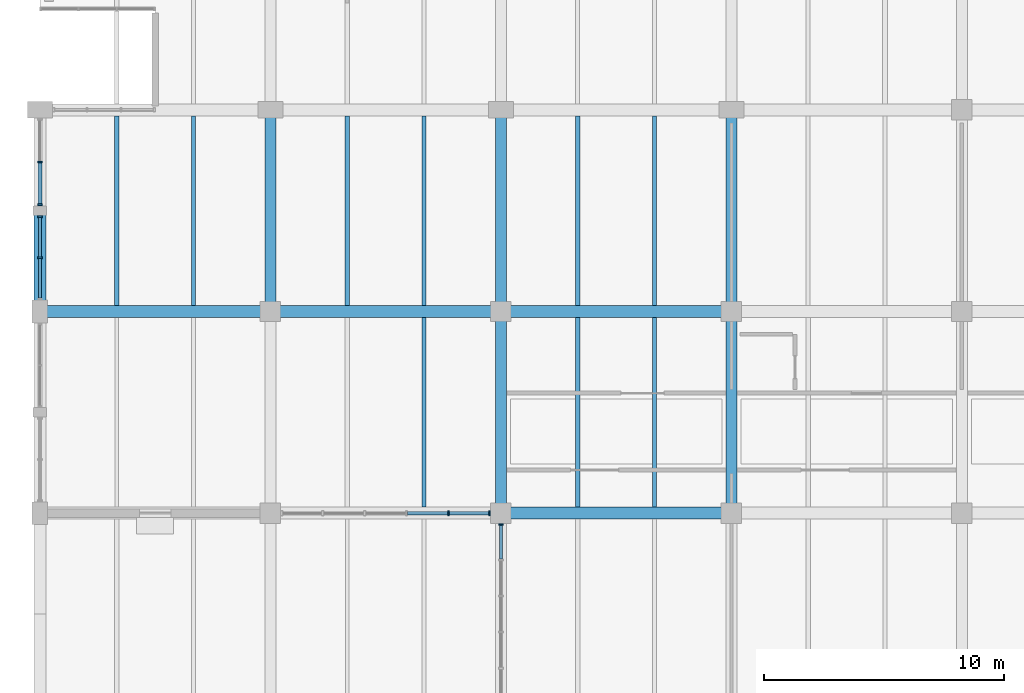
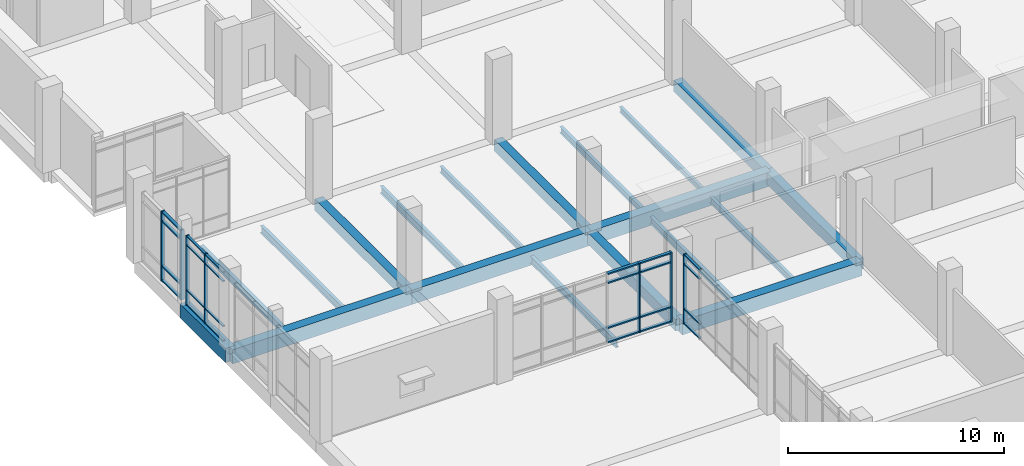
# One storey, part 10 of 152: 31 members, 19 beams, 4 elements without a shape of their own.
"""IFC4 building model written with IfcOpenShell, lengths in metres."""

import ifcopenshell
import ifcopenshell.guid

model = None  # the IFC model being written
_history = None  # IfcOwnerHistory: only IFC2X3 demands one
_inside = {}  # id of a spatial element -> (the spatial element, [elements in it])
_under = {}  # id of a project, library or spatial element -> (it, [spatial elements below it])
_declared = {}  # id of a project -> (the project, [libraries it declares])
_typed = {}  # id of a type object -> (the type object, [elements of that type])
_made_of = {}  # id of a material, layer set ... -> (it, [elements and type objects made of it])


def new_model(schema):
    """Start an empty IFC model of exactly this schema.

    Asked for "IFC4X3", IfcOpenShell would pick the latest addendum, in which some entities
    have other attributes; the version numbers below select the first issue.
    IFC2X3 requires an IfcOwnerHistory on every rooted entity: one is made here for all.
    """
    global model, _history
    if schema == "IFC4X3":
        model = ifcopenshell.file(schema_version=(4, 3, 0, 0))
    else:
        model = ifcopenshell.file(schema=schema)
    _inside.clear()
    _under.clear()
    _declared.clear()
    _typed.clear()
    _made_of.clear()
    _history = None
    if model.schema == "IFC2X3":
        org = make("IfcOrganization", Name="unknown")
        user = make(
            "IfcPersonAndOrganization",
            ThePerson=make("IfcPerson", FamilyName="unknown"),
            TheOrganization=org,
        )
        app = make(
            "IfcApplication",
            ApplicationDeveloper=org,
            Version="unknown",
            ApplicationFullName="unknown",
            ApplicationIdentifier="unknown",
        )
        _history = make(
            "IfcOwnerHistory",
            OwningUser=user,
            OwningApplication=app,
            ChangeAction="ADDED",
            CreationDate=0,
        )
    return model


def make(cls, **values):
    """One entity of the class cls with the attributes given. An attribute that is None is left unset."""
    return model.create_entity(
        cls, **{name: value for name, value in values.items() if value is not None}
    )


def rooted(cls, **values):
    """An entity with a GlobalId (a new one), such as an element, a storey or a relation."""
    return make(cls, GlobalId=ifcopenshell.guid.new(), OwnerHistory=_history, **values)


def si_unit(unit_type, name, prefix=None):
    """IfcSIUnit, for example si_unit("LENGTHUNIT", "METRE", prefix="MILLI")."""
    return make("IfcSIUnit", UnitType=unit_type, Prefix=prefix, Name=name)


def assignment(units):
    """IfcUnitAssignment: the units of a project."""
    return None if units is None else make("IfcUnitAssignment", Units=units)


def point(xyz):
    """IfcCartesianPoint."""
    return None if xyz is None else make("IfcCartesianPoint", Coordinates=xyz)


def direction(xyz):
    """IfcDirection."""
    return None if xyz is None else make("IfcDirection", DirectionRatios=xyz)


def frame(location, z_axis=None, x_axis=None):
    """IfcAxis2Placement3D, a coordinate frame: its origin and axes. An axis left out is left unset."""
    return make(
        "IfcAxis2Placement3D",
        Location=point(location),
        Axis=direction(z_axis),
        RefDirection=direction(x_axis),
    )


def frame_2d(location, x_axis=None):
    """IfcAxis2Placement2D, a coordinate frame in the plane: its origin and x axis."""
    return make(
        "IfcAxis2Placement2D", Location=point(location), RefDirection=direction(x_axis)
    )


def origin():
    """The frame at (0, 0, 0) with its axes left unset."""
    return frame((0.0, 0.0, 0.0))


def origin_2d():
    """The frame at (0, 0) in the plane with its x axis left unset."""
    return frame_2d((0.0, 0.0))


def place(relative_to, where):
    """IfcLocalPlacement: puts the frame where relative to a parent placement (None: the world)."""
    return make(
        "IfcLocalPlacement", PlacementRelTo=relative_to, RelativePlacement=where
    )


def context(
    kind, dimensions, precision=None, world=None, true_north=None, identifier=None
):
    """IfcGeometricRepresentationContext, for example the 3D "Model" context."""
    return make(
        "IfcGeometricRepresentationContext",
        ContextIdentifier=identifier,
        ContextType=kind,
        CoordinateSpaceDimension=dimensions,
        Precision=precision,
        WorldCoordinateSystem=world,
        TrueNorth=true_north,
    )


def subcontext(parent, identifier, kind, view, scale=None):
    """IfcGeometricRepresentationSubContext, for example "Body" below "Model"."""
    return make(
        "IfcGeometricRepresentationSubContext",
        ContextIdentifier=identifier,
        ContextType=kind,
        ParentContext=parent,
        TargetScale=scale,
        TargetView=view,
    )


def project(units=None, contexts=None):
    """IfcProject with its units and contexts."""
    return rooted(
        "IfcProject",
        Name="project",
        RepresentationContexts=contexts,
        UnitsInContext=assignment(units),
    )


def spatial(cls, under=None, at=None, **own):
    """A site, building, storey or space (cls), placed at a placement, below another one or the project."""
    s = rooted(cls, ObjectPlacement=at, **own)
    if under is not None:
        _under.setdefault(under.id(), (under, []))[1].append(s)
    return s


def profile(cls, at=None, kind="AREA", **sizes):
    """A parametric profile (cls). Its sizes go by their IFC names, for example OverallWidth=200.0."""
    return make(cls, ProfileType=kind, Position=at, **sizes)


def rectangle(**sizes):
    """IfcRectangleProfileDef."""
    return profile("IfcRectangleProfileDef", **sizes)


def i_section(**sizes):
    """IfcIShapeProfileDef."""
    return profile("IfcIShapeProfileDef", **sizes)


def extrude(swept, where, along, depth):
    """IfcExtrudedAreaSolid: the profile swept, set in the frame where, extruded along a direction by depth."""
    return make(
        "IfcExtrudedAreaSolid",
        SweptArea=swept,
        Position=where,
        ExtrudedDirection=direction(along),
        Depth=depth,
    )


def shape(context_of_items, identifier, shape_type, items):
    """IfcShapeRepresentation: the items that make up one representation, for example the "Body"."""
    return make(
        "IfcShapeRepresentation",
        ContextOfItems=context_of_items,
        RepresentationIdentifier=identifier,
        RepresentationType=shape_type,
        Items=items,
    )


def material(Name=None, Category=None):
    """IfcMaterial."""
    return make("IfcMaterial", Name=Name, Category=Category)


def material_profile(
    of_material, cross_section, Name=None, Category=None, Priority=None
):
    """IfcMaterialProfile: a cross section and its material."""
    return make(
        "IfcMaterialProfile",
        Name=Name,
        Material=of_material,
        Profile=cross_section,
        Priority=Priority,
        Category=Category,
    )


def profile_set(profiles, Name=None, composite=None):
    """IfcMaterialProfileSet."""
    return make(
        "IfcMaterialProfileSet",
        Name=Name,
        MaterialProfiles=profiles,
        CompositeProfile=composite,
    )


def made_of(thing, what):
    """Note that an element or type object is made of a material, layer set ...; save() writes the relation."""
    if what is not None:
        _made_of.setdefault(what.id(), (what, []))[1].append(thing)
    return thing


def type_object(cls, material=None, **own):
    """A type object (cls), such as IfcWallType, which elements share."""
    return made_of(rooted(cls, **own), material)


def element(
    cls,
    number,
    at=None,
    inside=None,
    cuts=None,
    type_object=None,
    material=None,
    context=None,
    identifier="Body",
    shape_type=None,
    held_by="IfcProductDefinitionShape",
    body=None,
    shapes=None,
    **own,
):
    """One element of the class cls, such as IfcWall. Its Tag is "e" and its number.

    at: its placement. inside: the storey or other place that contains it. cuts: it is an
    opening in that element (IfcRelVoidsElement). A single representation is given by context,
    identifier, shape_type and body (its items); several are given by shapes. held_by: the class
    of the entity that holds the representations. save() writes the other relations.
    """
    e = rooted(cls, Tag="e%d" % number, ObjectPlacement=at, **own)
    if body is not None:
        shapes = [shape(context, identifier, shape_type, body)]
    if shapes is not None:
        e.Representation = make(held_by, Representations=shapes)
    if inside is not None:
        _inside.setdefault(inside.id(), (inside, []))[1].append(e)
    if cuts is not None:
        rooted(
            "IfcRelVoidsElement", RelatingBuildingElement=cuts, RelatedOpeningElement=e
        )
    if type_object is not None:
        _typed.setdefault(type_object.id(), (type_object, []))[1].append(e)
    return made_of(e, material)


def aggregate(whole, parts):
    """IfcRelAggregates: a whole, such as a stair, and the parts it consists of."""
    return rooted("IfcRelAggregates", RelatingObject=whole, RelatedObjects=parts)


def save(model, path):
    """Write the relations noted so far, then the file.

    IfcRelAggregates (storeys below a building ...), IfcRelContainedInSpatialStructure (elements
    in a storey), IfcRelDefinesByType, IfcRelAssociatesMaterial and IfcRelDeclares: one each for
    every whole, place, type object, material and project.
    """
    for whole, parts in _under.values():
        aggregate(whole, parts)
    for where, things in _inside.values():
        rooted(
            "IfcRelContainedInSpatialStructure",
            RelatedElements=things,
            RelatingStructure=where,
        )
    for kind, things in _typed.values():
        rooted("IfcRelDefinesByType", RelatedObjects=things, RelatingType=kind)
    for what, things in _made_of.values():
        rooted("IfcRelAssociatesMaterial", RelatedObjects=things, RelatingMaterial=what)
    for by, libraries in _declared.values():
        rooted("IfcRelDeclares", RelatingContext=by, RelatedDefinitions=libraries)
    model.write(path)


model = new_model("IFC4")

# Units and contexts
model_context = context("Model", 3, precision=1e-05, world=origin(), true_north=direction((0.0, 1.0)))
body_context = subcontext(model_context, "Body", "Model", "MODEL_VIEW")
ifc_project = project(units=[si_unit("LENGTHUNIT", "METRE"), si_unit("AREAUNIT", "SQUARE_METRE"), si_unit("VOLUMEUNIT", "CUBIC_METRE"), si_unit("PLANEANGLEUNIT", "RADIAN"), si_unit("MASSUNIT", "GRAM", prefix="KILO")], contexts=[model_context])

# Site, building, storey
site_placement = place(None, origin())
site = spatial("IfcSite", under=ifc_project, at=site_placement, CompositionType="ELEMENT")
building_placement = place(site_placement, origin())
building = spatial("IfcBuilding", under=site, at=building_placement, Name="Oolite Switchyard Hospital", CompositionType="ELEMENT")
storey_placement = place(building_placement, frame((0.0, 0.0, 5.10009765625)))
storey = spatial("IfcBuildingStorey", under=building, at=storey_placement, Name="L01", CompositionType="ELEMENT", Elevation=5.10009765625)

# Beams
ifc_material_1 = material(Name="Concrete C40/50", Category="concrete")
ifc_material_profile_1 = material_profile(ifc_material_1, rectangle(XDim=0.449951171875, YDim=0.64990234375, at=origin_2d()), Name="RCB450X650")
ifc_profile_set_1 = profile_set([ifc_material_profile_1], Name="Concrete C40/50")
beam_type_1 = type_object("IfcBeamType", Name="BM-RC450X650", PredefinedType="BEAM", material=ifc_profile_set_1)
beam_1_placement = place(storey_placement, frame((9.60009765625, 25.199951171875, -0.3251953125), z_axis=(0.0, 1.0, 0.0), x_axis=(-1.0, 0.0, 0.0)))
element("IfcBeam", 1, at=beam_1_placement, inside=storey, type_object=beam_type_1, Name="L01 Y-Girder 305", PredefinedType="BEAM", context=body_context, shape_type="SweptSolid", body=[
    extrude(rectangle(XDim=0.449951171875, YDim=0.64990234375, at=origin_2d()), origin(), (0.0, 0.0, 1.0), 8.400146484375),
])
beam_2_placement = place(storey_placement, frame((19.199951171875, 16.800048828125, -0.3251953125), z_axis=(0.0, 1.0, 0.0), x_axis=(-1.0, 0.0, 0.0)))
element("IfcBeam", 2, at=beam_2_placement, inside=storey, type_object=beam_type_1, Name="L01 Y-Girder 320", PredefinedType="BEAM", context=body_context, shape_type="SweptSolid", body=[
    extrude(rectangle(XDim=0.449951171875, YDim=0.64990234375, at=origin_2d()), origin(), (0.0, 0.0, 1.0), 8.39990234375),
])
beam_3_placement = place(storey_placement, frame((19.199951171875, 25.199951171875, -0.3251953125), z_axis=(0.0, 1.0, 0.0), x_axis=(-1.0, 0.0, 0.0)))
element("IfcBeam", 3, at=beam_3_placement, inside=storey, type_object=beam_type_1, Name="L01 Y-Girder 321", PredefinedType="BEAM", context=body_context, shape_type="SweptSolid", body=[
    extrude(rectangle(XDim=0.449951171875, YDim=0.64990234375, at=origin_2d()), origin(), (0.0, 0.0, 1.0), 8.400146484375),
])
beam_4_placement = place(storey_placement, frame((28.800048828125, 16.800048828125, -0.3251953125), z_axis=(0.0, 1.0, 0.0), x_axis=(-1.0, 0.0, 0.0)))
element("IfcBeam", 4, at=beam_4_placement, inside=storey, type_object=beam_type_1, Name="L01 Y-Girder 336", PredefinedType="BEAM", context=body_context, shape_type="SweptSolid", body=[
    extrude(rectangle(XDim=0.449951171875, YDim=0.64990234375, at=origin_2d()), origin(), (0.0, 0.0, 1.0), 8.39990234375),
])
beam_5_placement = place(storey_placement, frame((28.800048828125, 25.199951171875, -0.3251953125), z_axis=(0.0, 1.0, 0.0), x_axis=(-1.0, 0.0, 0.0)))
element("IfcBeam", 5, at=beam_5_placement, inside=storey, type_object=beam_type_1, Name="L01 Y-Girder 337", PredefinedType="BEAM", context=body_context, shape_type="SweptSolid", body=[
    extrude(rectangle(XDim=0.449951171875, YDim=0.64990234375, at=origin_2d()), origin(), (0.0, 0.0, 1.0), 8.400146484375),
])
ifc_material_profile_2 = material_profile(ifc_material_1, rectangle(XDim=0.5, YDim=0.800048828125, at=origin_2d()), Name="RCB500X800")
ifc_profile_set_2 = profile_set([ifc_material_profile_2], Name="Concrete C40/50")
beam_type_2 = type_object("IfcBeamType", Name="BM-RC500X800", PredefinedType="BEAM", material=ifc_profile_set_2)
for number, where, z_axis, x_axis, name in (
    (6, (19.199951171875, 16.800048828125, -0.400146484375), (1.0, 0.0, 0.0), (0.0, 1.0, 0.0), "L01 X-Girder 28"),
    (7, (0.0, 25.199951171875, -0.400146484375), (1.0, 0.0, 0.0), (0.0, 1.0, 0.0), "L01 X-Girder 41"),
):
    element("IfcBeam", number, at=place(storey_placement, frame(where, z_axis=z_axis, x_axis=x_axis)), inside=storey, type_object=beam_type_2, Name=name, PredefinedType="BEAM", context=body_context, shape_type="SweptSolid", body=[
        extrude(rectangle(XDim=0.5, YDim=0.800048828125, at=origin_2d()), origin(), (0.0, 0.0, 1.0), 9.60009765625),
    ])
beam_6_placement = place(storey_placement, frame((9.60009765625, 25.199951171875, -0.400146484375), z_axis=(1.0, 0.0, 0.0), x_axis=(0.0, 1.0, 0.0)))
element("IfcBeam", 8, at=beam_6_placement, inside=storey, type_object=beam_type_2, Name="L01 X-Girder 42", PredefinedType="BEAM", context=body_context, shape_type="SweptSolid", body=[
    extrude(rectangle(XDim=0.5, YDim=0.800048828125, at=origin_2d()), origin(), (0.0, 0.0, 1.0), 9.599853515625),
])
beam_7_placement = place(storey_placement, frame((19.199951171875, 25.199951171875, -0.400146484375), z_axis=(1.0, 0.0, 0.0), x_axis=(0.0, 1.0, 0.0)))
element("IfcBeam", 9, at=beam_7_placement, inside=storey, type_object=beam_type_2, Name="L01 X-Girder 43", PredefinedType="BEAM", context=body_context, shape_type="SweptSolid", body=[
    extrude(rectangle(XDim=0.5, YDim=0.800048828125, at=origin_2d()), origin(), (0.0, 0.0, 1.0), 9.60009765625),
])
beam_8_placement = place(storey_placement, frame((0.0, 25.199951171875, -0.400146484375), z_axis=(0.0, 1.0, 0.0), x_axis=(-1.0, 0.0, 0.0)))
element("IfcBeam", 10, at=beam_8_placement, inside=storey, type_object=beam_type_2, Name="L01 Y-Girder 290", PredefinedType="BEAM", context=body_context, shape_type="SweptSolid", body=[
    extrude(rectangle(XDim=0.5, YDim=0.800048828125, at=origin_2d()), origin(), (0.0, 0.0, 1.0), 4.199951171875),
])
ifc_material_2 = material(Name="Steel ASTM A992 Grade 50", Category="steel")
ifc_material_profile_3 = material_profile(ifc_material_2, i_section(OverallWidth=0.1650390625, OverallDepth=0.31005859375, WebThickness=0.006103515625, FlangeThickness=0.010009765625, at=origin_2d()), Name="W12X26")
ifc_profile_set_3 = profile_set([ifc_material_profile_3], Name="Steel ASTM A992 Grade 50")
beam_type_3 = type_object("IfcBeamType", Name="BM-W12X26", PredefinedType="JOIST", material=ifc_profile_set_3)
beam_9_placement = place(storey_placement, frame((25.60009765625, 25.449951171875, -0.43017578125), z_axis=(0.0, 1.0, 0.0), x_axis=(-1.0, 0.0, 0.0)))
element("IfcBeam", 11, at=beam_9_placement, inside=storey, type_object=beam_type_3, Name="L01 Secondary Steel Joist 629", PredefinedType="JOIST", context=body_context, shape_type="SweptSolid", body=[
    extrude(i_section(OverallWidth=0.1650390625, OverallDepth=0.31005859375, WebThickness=0.006103515625, FlangeThickness=0.010009765625, at=origin_2d()), origin(), (0.0, 0.0, 1.0), 7.900146484375),
])
ifc_material_profile_4 = material_profile(ifc_material_2, i_section(OverallWidth=0.1708984375, OverallDepth=0.35107421875, WebThickness=0.007080078125, FlangeThickness=0.010009765625, at=origin_2d()), Name="W14X30")
ifc_profile_set_4 = profile_set([ifc_material_profile_4], Name="Steel ASTM A992 Grade 50")
beam_type_4 = type_object("IfcBeamType", Name="BM-W14X30", PredefinedType="JOIST", material=ifc_profile_set_4)
beam_10_placement = place(storey_placement, frame((16.0, 25.449951171875, -0.4501953125), z_axis=(0.0, 1.0, 0.0), x_axis=(-1.0, 0.0, 0.0)))
element("IfcBeam", 12, at=beam_10_placement, inside=storey, type_object=beam_type_4, Name="L01 Secondary Steel Joist 597", PredefinedType="JOIST", context=body_context, shape_type="SweptSolid", body=[
    extrude(i_section(OverallWidth=0.1708984375, OverallDepth=0.35107421875, WebThickness=0.007080078125, FlangeThickness=0.010009765625, at=origin_2d()), origin(), (0.0, 0.0, 1.0), 7.900146484375),
])
beam_11_placement = place(storey_placement, frame((25.60009765625, 17.050048828125, -0.4501953125), z_axis=(0.0, 1.0, 0.0), x_axis=(-1.0, 0.0, 0.0)))
element("IfcBeam", 13, at=beam_11_placement, inside=storey, type_object=beam_type_4, Name="L01 Secondary Steel Joist 627", PredefinedType="JOIST", context=body_context, shape_type="SweptSolid", body=[
    extrude(i_section(OverallWidth=0.1708984375, OverallDepth=0.35107421875, WebThickness=0.007080078125, FlangeThickness=0.010009765625, at=origin_2d()), origin(), (0.0, 0.0, 1.0), 7.89990234375),
])
beam_12_placement = place(storey_placement, frame((22.39990234375, 25.449951171875, -0.4501953125), z_axis=(0.0, 1.0, 0.0), x_axis=(-1.0, 0.0, 0.0)))
element("IfcBeam", 14, at=beam_12_placement, inside=storey, type_object=beam_type_4, Name="L01 Secondary Steel Joist 628", PredefinedType="JOIST", context=body_context, shape_type="SweptSolid", body=[
    extrude(i_section(OverallWidth=0.1708984375, OverallDepth=0.35107421875, WebThickness=0.007080078125, FlangeThickness=0.010009765625, at=origin_2d()), origin(), (0.0, 0.0, 1.0), 7.900146484375),
])
ifc_material_profile_5 = material_profile(ifc_material_2, i_section(OverallWidth=0.177978515625, OverallDepth=0.403076171875, WebThickness=0.008056640625, FlangeThickness=0.010986328125, at=origin_2d()), Name="W16X36")
ifc_profile_set_5 = profile_set([ifc_material_profile_5], Name="Steel ASTM A992 Grade 50")
beam_type_5 = type_object("IfcBeamType", Name="BM-W16X36", PredefinedType="JOIST", material=ifc_profile_set_5)
beam_13_placement = place(storey_placement, frame((6.39990234375, 25.449951171875, -0.47705078125), z_axis=(0.0, 1.0, 0.0), x_axis=(-1.0, 0.0, 0.0)))
element("IfcBeam", 15, at=beam_13_placement, inside=storey, type_object=beam_type_5, Name="L01 Secondary Steel Joist 569", PredefinedType="JOIST", context=body_context, shape_type="SweptSolid", body=[
    extrude(i_section(OverallWidth=0.177978515625, OverallDepth=0.403076171875, WebThickness=0.008056640625, FlangeThickness=0.010986328125, at=origin_2d()), origin(), (0.0, 0.0, 1.0), 7.900146484375),
])
beam_14_placement = place(storey_placement, frame((16.0, 17.050048828125, -0.47705078125), z_axis=(0.0, 1.0, 0.0), x_axis=(-1.0, 0.0, 0.0)))
element("IfcBeam", 16, at=beam_14_placement, inside=storey, type_object=beam_type_5, Name="L01 Secondary Steel Joist 595", PredefinedType="JOIST", context=body_context, shape_type="SweptSolid", body=[
    extrude(i_section(OverallWidth=0.177978515625, OverallDepth=0.403076171875, WebThickness=0.008056640625, FlangeThickness=0.010986328125, at=origin_2d()), origin(), (0.0, 0.0, 1.0), 7.89990234375),
])
beam_15_placement = place(storey_placement, frame((12.800048828125, 25.449951171875, -0.47705078125), z_axis=(0.0, 1.0, 0.0), x_axis=(-1.0, 0.0, 0.0)))
element("IfcBeam", 17, at=beam_15_placement, inside=storey, type_object=beam_type_5, Name="L01 Secondary Steel Joist 596", PredefinedType="JOIST", context=body_context, shape_type="SweptSolid", body=[
    extrude(i_section(OverallWidth=0.177978515625, OverallDepth=0.403076171875, WebThickness=0.008056640625, FlangeThickness=0.010986328125, at=origin_2d()), origin(), (0.0, 0.0, 1.0), 7.900146484375),
])
beam_16_placement = place(storey_placement, frame((22.39990234375, 17.050048828125, -0.47705078125), z_axis=(0.0, 1.0, 0.0), x_axis=(-1.0, 0.0, 0.0)))
element("IfcBeam", 18, at=beam_16_placement, inside=storey, type_object=beam_type_5, Name="L01 Secondary Steel Joist 626", PredefinedType="JOIST", context=body_context, shape_type="SweptSolid", body=[
    extrude(i_section(OverallWidth=0.177978515625, OverallDepth=0.403076171875, WebThickness=0.008056640625, FlangeThickness=0.010986328125, at=origin_2d()), origin(), (0.0, 0.0, 1.0), 7.89990234375),
])
ifc_material_profile_6 = material_profile(ifc_material_2, i_section(OverallWidth=0.179931640625, OverallDepth=0.4130859375, WebThickness=0.010009765625, FlangeThickness=0.01611328125, at=origin_2d()), Name="W16X50")
ifc_profile_set_6 = profile_set([ifc_material_profile_6], Name="Steel ASTM A992 Grade 50")
beam_type_6 = type_object("IfcBeamType", Name="BM-W16X50", PredefinedType="JOIST", material=ifc_profile_set_6)
beam_17_placement = place(storey_placement, frame((3.199951171875, 25.449951171875, -0.482177734375), z_axis=(0.0, 1.0, 0.0), x_axis=(-1.0, 0.0, 0.0)))
element("IfcBeam", 19, at=beam_17_placement, inside=storey, type_object=beam_type_6, Name="L01 Secondary Steel Joist 568", PredefinedType="JOIST", context=body_context, shape_type="SweptSolid", body=[
    extrude(i_section(OverallWidth=0.179931640625, OverallDepth=0.4130859375, WebThickness=0.010009765625, FlangeThickness=0.01611328125, at=origin_2d()), origin(), (0.0, 0.0, 1.0), 7.900146484375),
])

# Curtain wall, members
ifc_material_3 = material(Name="Thermally broken aluminum frame with laminated impact glazing", Category="aluminium")
curtain_wall_type_1 = type_object("IfcCurtainWallType", Name="CW-UNIT-84X48", PredefinedType="USERDEFINED", material=ifc_material_3)
curtain_wall_1_placement = place(storey_placement, origin())
curtain_wall_1 = element("IfcCurtainWall", 20, at=curtain_wall_1_placement, inside=storey, type_object=curtain_wall_type_1, Name="L01 Unitised Curtain Wall 162", ObjectType="UNITISED", PredefinedType="USERDEFINED")
ifc_material_4 = material(Name="Aluminium 6063-T6", Category="aluminium")
ifc_material_profile_7 = material_profile(ifc_material_4, rectangle(XDim=0.179931640625, YDim=0.070068359375, at=origin_2d()), Name="CWM70X180")
ifc_profile_set_7 = profile_set([ifc_material_profile_7], Name="Aluminium 6063-T6")
member_type_1 = type_object("IfcMemberType", Name="CW-MUL-220", PredefinedType="MULLION", material=ifc_profile_set_7)
member_1_placement = place(storey_placement, frame((0.0, 27.4375, 0.0), z_axis=(0.0, 0.0, 1.0), x_axis=(-1.0, 0.0, 0.0)))
member_1 = element("IfcMember", 21, at=member_1_placement, type_object=member_type_1, Name="CW-07 mullion 2", PredefinedType="MULLION", context=body_context, shape_type="SweptSolid", body=[
    extrude(rectangle(XDim=0.179931640625, YDim=0.070068359375, at=origin_2d()), origin(), (0.0, 0.0, 1.0), 3.93994140625),
])
member_2_placement = place(storey_placement, frame((0.0, 29.14990234375, 0.0), z_axis=(0.0, 0.0, 1.0), x_axis=(-1.0, 0.0, 0.0)))
member_2 = element("IfcMember", 22, at=member_2_placement, type_object=member_type_1, Name="CW-07 mullion 3", PredefinedType="MULLION", context=body_context, shape_type="SweptSolid", body=[
    extrude(rectangle(XDim=0.179931640625, YDim=0.070068359375, at=origin_2d()), origin(), (0.0, 0.0, 1.0), 3.93994140625),
])

# Curtain wall, member
curtain_wall_2_placement = place(storey_placement, origin())
curtain_wall_2 = element("IfcCurtainWall", 23, at=curtain_wall_2_placement, inside=storey, type_object=curtain_wall_type_1, Name="L01 Unitised Curtain Wall 168", ObjectType="UNITISED", PredefinedType="USERDEFINED")
member_3_placement = place(storey_placement, frame((19.199951171875, 16.324951171875, 0.0), z_axis=(0.0, 0.0, 1.0), x_axis=(-1.0, 0.0, 0.0)))
member_3 = element("IfcMember", 24, at=member_3_placement, type_object=member_type_1, Name="CW-07 mullion 6", PredefinedType="MULLION", context=body_context, shape_type="SweptSolid", body=[
    extrude(rectangle(XDim=0.179931640625, YDim=0.070068359375, at=origin_2d()), origin(), (0.0, 0.0, 1.0), 3.93994140625),
])

# Curtain wall, members
curtain_wall_type_2 = type_object("IfcCurtainWallType", Name="CW-UNIT-96X48", PredefinedType="USERDEFINED", material=ifc_material_3)
curtain_wall_3_placement = place(storey_placement, origin())
curtain_wall_3 = element("IfcCurtainWall", 25, at=curtain_wall_3_placement, inside=storey, type_object=curtain_wall_type_2, Name="L01 Unitised Curtain Wall 103", ObjectType="UNITISED", PredefinedType="USERDEFINED")
ifc_material_profile_8 = material_profile(ifc_material_4, rectangle(XDim=0.199951171875, YDim=0.074951171875, at=origin_2d()), Name="CWM75X200")
ifc_profile_set_8 = profile_set([ifc_material_profile_8], Name="Aluminium 6063-T6")
member_type_2 = type_object("IfcMemberType", Name="CW-MUL-260", PredefinedType="MULLION", material=ifc_profile_set_8)
member_4_placement = place(storey_placement, frame((18.722412109375, 16.800048828125, 0.0), z_axis=(0.0, 0.0, 1.0), x_axis=(0.0, -1.0, 0.0)))
member_4 = element("IfcMember", 26, at=member_4_placement, type_object=member_type_2, Name="CW-02 mullion 1", PredefinedType="MULLION", context=body_context, shape_type="SweptSolid", body=[
    extrude(rectangle(XDim=0.199951171875, YDim=0.074951171875, at=origin_2d()), origin(), (0.0, 0.0, 1.0), 3.93994140625),
])
member_5_placement = place(storey_placement, frame((17.01611328125, 16.800048828125, 0.0), z_axis=(0.0, 0.0, 1.0), x_axis=(0.0, -1.0, 0.0)))
member_5 = element("IfcMember", 27, at=member_5_placement, type_object=member_type_2, Name="CW-02 mullion 2", PredefinedType="MULLION", context=body_context, shape_type="SweptSolid", body=[
    extrude(rectangle(XDim=0.199951171875, YDim=0.074951171875, at=origin_2d()), origin(), (0.0, 0.0, 1.0), 3.93994140625),
])

curtain_wall_4_placement = place(storey_placement, origin())
curtain_wall_4 = element("IfcCurtainWall", 28, at=curtain_wall_4_placement, inside=storey, type_object=curtain_wall_type_1, Name="L01 Unitised Curtain Wall 163", ObjectType="UNITISED", PredefinedType="USERDEFINED")
member_6_placement = place(storey_placement, frame((0.0, 29.652587890625, 0.0), z_axis=(0.0, 0.0, 1.0), x_axis=(-1.0, 0.0, 0.0)))
member_6 = element("IfcMember", 29, at=member_6_placement, type_object=member_type_2, Name="CW-07 mullion 1", PredefinedType="MULLION", context=body_context, shape_type="SweptSolid", body=[
    extrude(rectangle(XDim=0.199951171875, YDim=0.074951171875, at=origin_2d()), origin(), (0.0, 0.0, 1.0), 3.93994140625),
])
member_7_placement = place(storey_placement, frame((0.0, 31.425048828125, 0.0), z_axis=(0.0, 0.0, 1.0), x_axis=(-1.0, 0.0, 0.0)))
member_7 = element("IfcMember", 30, at=member_7_placement, type_object=member_type_2, Name="CW-07 mullion 2", PredefinedType="MULLION", context=body_context, shape_type="SweptSolid", body=[
    extrude(rectangle(XDim=0.199951171875, YDim=0.074951171875, at=origin_2d()), origin(), (0.0, 0.0, 1.0), 3.93994140625),
])

# Member
ifc_material_profile_9 = material_profile(ifc_material_4, rectangle(XDim=0.1201171875, YDim=0.06005859375, at=origin_2d()), Name="CWT60X120")
ifc_profile_set_9 = profile_set([ifc_material_profile_9], Name="Aluminium 6063-T6")
member_type_3 = type_object("IfcMemberType", Name="CW-TRN-150", PredefinedType="USERDEFINED", material=ifc_profile_set_9)
member_8_placement = place(storey_placement, frame((0.0, 25.760009765625, 0.02978515625), z_axis=(0.0, 1.0, 0.0), x_axis=(-1.0, 0.0, 0.0)))
member_8 = element("IfcMember", 31, at=member_8_placement, type_object=member_type_3, Name="CW-07 transom 1.1", ObjectType="TRANSOM", PredefinedType="USERDEFINED", context=body_context, shape_type="SweptSolid", body=[
    extrude(rectangle(XDim=0.1201171875, YDim=0.06005859375, at=origin_2d()), origin(), (0.0, 0.0, 1.0), 1.642578125),
])

member_9_placement = place(storey_placement, frame((0.0, 25.760009765625, 0.849853515625), z_axis=(0.0, 1.0, 0.0), x_axis=(-1.0, 0.0, 0.0)))
member_9 = element("IfcMember", 32, at=member_9_placement, type_object=member_type_3, Name="CW-07 transom 1.2", ObjectType="TRANSOM", PredefinedType="USERDEFINED", context=body_context, shape_type="SweptSolid", body=[
    extrude(rectangle(XDim=0.1201171875, YDim=0.06005859375, at=origin_2d()), origin(), (0.0, 0.0, 1.0), 1.642578125),
])

member_10_placement = place(storey_placement, frame((0.0, 25.760009765625, 3.389892578125), z_axis=(0.0, 1.0, 0.0), x_axis=(-1.0, 0.0, 0.0)))
member_10 = element("IfcMember", 33, at=member_10_placement, type_object=member_type_3, Name="CW-07 transom 1.3", ObjectType="TRANSOM", PredefinedType="USERDEFINED", context=body_context, shape_type="SweptSolid", body=[
    extrude(rectangle(XDim=0.1201171875, YDim=0.06005859375, at=origin_2d()), origin(), (0.0, 0.0, 1.0), 1.642578125),
])

member_11_placement = place(storey_placement, frame((0.0, 25.760009765625, 3.909912109375), z_axis=(0.0, 1.0, 0.0), x_axis=(-1.0, 0.0, 0.0)))
member_11 = element("IfcMember", 34, at=member_11_placement, type_object=member_type_3, Name="CW-07 transom 1.4", ObjectType="TRANSOM", PredefinedType="USERDEFINED", context=body_context, shape_type="SweptSolid", body=[
    extrude(rectangle(XDim=0.1201171875, YDim=0.06005859375, at=origin_2d()), origin(), (0.0, 0.0, 1.0), 1.642578125),
])

member_12_placement = place(storey_placement, frame((0.0, 27.472412109375, 0.02978515625), z_axis=(0.0, 1.0, 0.0), x_axis=(-1.0, 0.0, 0.0)))
member_12 = element("IfcMember", 35, at=member_12_placement, type_object=member_type_3, Name="CW-07 transom 2.1", ObjectType="TRANSOM", PredefinedType="USERDEFINED", context=body_context, shape_type="SweptSolid", body=[
    extrude(rectangle(XDim=0.1201171875, YDim=0.06005859375, at=origin_2d()), origin(), (0.0, 0.0, 1.0), 1.642578125),
])

member_13_placement = place(storey_placement, frame((0.0, 27.472412109375, 0.849853515625), z_axis=(0.0, 1.0, 0.0), x_axis=(-1.0, 0.0, 0.0)))
member_13 = element("IfcMember", 36, at=member_13_placement, type_object=member_type_3, Name="CW-07 transom 2.2", ObjectType="TRANSOM", PredefinedType="USERDEFINED", context=body_context, shape_type="SweptSolid", body=[
    extrude(rectangle(XDim=0.1201171875, YDim=0.06005859375, at=origin_2d()), origin(), (0.0, 0.0, 1.0), 1.642578125),
])

member_14_placement = place(storey_placement, frame((0.0, 27.472412109375, 3.389892578125), z_axis=(0.0, 1.0, 0.0), x_axis=(-1.0, 0.0, 0.0)))
member_14 = element("IfcMember", 37, at=member_14_placement, type_object=member_type_3, Name="CW-07 transom 2.3", ObjectType="TRANSOM", PredefinedType="USERDEFINED", context=body_context, shape_type="SweptSolid", body=[
    extrude(rectangle(XDim=0.1201171875, YDim=0.06005859375, at=origin_2d()), origin(), (0.0, 0.0, 1.0), 1.642578125),
])

member_15_placement = place(storey_placement, frame((0.0, 27.472412109375, 3.909912109375), z_axis=(0.0, 1.0, 0.0), x_axis=(-1.0, 0.0, 0.0)))
member_15 = element("IfcMember", 38, at=member_15_placement, type_object=member_type_3, Name="CW-07 transom 2.4", ObjectType="TRANSOM", PredefinedType="USERDEFINED", context=body_context, shape_type="SweptSolid", body=[
    extrude(rectangle(XDim=0.1201171875, YDim=0.06005859375, at=origin_2d()), origin(), (0.0, 0.0, 1.0), 1.642578125),
])

aggregate(curtain_wall_1, [member_1, member_2, member_8, member_9, member_10, member_11, member_12, member_13, member_14, member_15])

member_16_placement = place(storey_placement, frame((19.199951171875, 14.89111328125, 0.02978515625), z_axis=(0.0, 1.0, 0.0), x_axis=(-1.0, 0.0, 0.0)))
member_16 = element("IfcMember", 39, at=member_16_placement, type_object=member_type_3, Name="CW-07 transom 5.1", ObjectType="TRANSOM", PredefinedType="USERDEFINED", context=body_context, shape_type="SweptSolid", body=[
    extrude(rectangle(XDim=0.1201171875, YDim=0.06005859375, at=origin_2d()), origin(), (0.0, 0.0, 1.0), 1.39892578125),
])

member_17_placement = place(storey_placement, frame((19.199951171875, 14.89111328125, 0.849853515625), z_axis=(0.0, 1.0, 0.0), x_axis=(-1.0, 0.0, 0.0)))
member_17 = element("IfcMember", 40, at=member_17_placement, type_object=member_type_3, Name="CW-07 transom 5.2", ObjectType="TRANSOM", PredefinedType="USERDEFINED", context=body_context, shape_type="SweptSolid", body=[
    extrude(rectangle(XDim=0.1201171875, YDim=0.06005859375, at=origin_2d()), origin(), (0.0, 0.0, 1.0), 1.39892578125),
])

member_18_placement = place(storey_placement, frame((19.199951171875, 14.89111328125, 3.389892578125), z_axis=(0.0, 1.0, 0.0), x_axis=(-1.0, 0.0, 0.0)))
member_18 = element("IfcMember", 41, at=member_18_placement, type_object=member_type_3, Name="CW-07 transom 5.3", ObjectType="TRANSOM", PredefinedType="USERDEFINED", context=body_context, shape_type="SweptSolid", body=[
    extrude(rectangle(XDim=0.1201171875, YDim=0.06005859375, at=origin_2d()), origin(), (0.0, 0.0, 1.0), 1.39892578125),
])

member_19_placement = place(storey_placement, frame((19.199951171875, 14.89111328125, 3.909912109375), z_axis=(0.0, 1.0, 0.0), x_axis=(-1.0, 0.0, 0.0)))
member_19 = element("IfcMember", 42, at=member_19_placement, type_object=member_type_3, Name="CW-07 transom 5.4", ObjectType="TRANSOM", PredefinedType="USERDEFINED", context=body_context, shape_type="SweptSolid", body=[
    extrude(rectangle(XDim=0.1201171875, YDim=0.06005859375, at=origin_2d()), origin(), (0.0, 0.0, 1.0), 1.39892578125),
])

aggregate(curtain_wall_2, [member_3, member_16, member_17, member_18, member_19])

ifc_material_profile_10 = material_profile(ifc_material_4, rectangle(XDim=0.159912109375, YDim=0.074951171875, at=origin_2d()), Name="CWT75X160")
ifc_profile_set_10 = profile_set([ifc_material_profile_10], Name="Aluminium 6063-T6")
member_type_4 = type_object("IfcMemberType", Name="CW-TRN-180", PredefinedType="USERDEFINED", material=ifc_profile_set_10)
member_20_placement = place(storey_placement, frame((18.68505859375, 16.800048828125, 0.037353515625), z_axis=(-1.0, 0.0, 0.0), x_axis=(0.0, -1.0, 0.0)))
member_20 = element("IfcMember", 43, at=member_20_placement, type_object=member_type_4, Name="CW-02 transom 1.1", ObjectType="TRANSOM", PredefinedType="USERDEFINED", context=body_context, shape_type="SweptSolid", body=[
    extrude(rectangle(XDim=0.159912109375, YDim=0.074951171875, at=origin_2d()), origin(), (0.0, 0.0, 1.0), 1.631591796875),
])

member_21_placement = place(storey_placement, frame((18.68505859375, 16.800048828125, 0.849853515625), z_axis=(-1.0, 0.0, 0.0), x_axis=(0.0, -1.0, 0.0)))
member_21 = element("IfcMember", 44, at=member_21_placement, type_object=member_type_4, Name="CW-02 transom 1.2", ObjectType="TRANSOM", PredefinedType="USERDEFINED", context=body_context, shape_type="SweptSolid", body=[
    extrude(rectangle(XDim=0.159912109375, YDim=0.074951171875, at=origin_2d()), origin(), (0.0, 0.0, 1.0), 1.631591796875),
])

member_22_placement = place(storey_placement, frame((18.68505859375, 16.800048828125, 3.389892578125), z_axis=(-1.0, 0.0, 0.0), x_axis=(0.0, -1.0, 0.0)))
member_22 = element("IfcMember", 45, at=member_22_placement, type_object=member_type_4, Name="CW-02 transom 1.3", ObjectType="TRANSOM", PredefinedType="USERDEFINED", context=body_context, shape_type="SweptSolid", body=[
    extrude(rectangle(XDim=0.159912109375, YDim=0.074951171875, at=origin_2d()), origin(), (0.0, 0.0, 1.0), 1.631591796875),
])

member_23_placement = place(storey_placement, frame((18.68505859375, 16.800048828125, 3.90234375), z_axis=(-1.0, 0.0, 0.0), x_axis=(0.0, -1.0, 0.0)))
member_23 = element("IfcMember", 46, at=member_23_placement, type_object=member_type_4, Name="CW-02 transom 1.4", ObjectType="TRANSOM", PredefinedType="USERDEFINED", context=body_context, shape_type="SweptSolid", body=[
    extrude(rectangle(XDim=0.159912109375, YDim=0.074951171875, at=origin_2d()), origin(), (0.0, 0.0, 1.0), 1.631591796875),
])

member_24_placement = place(storey_placement, frame((16.978515625, 16.800048828125, 0.037353515625), z_axis=(-1.0, 0.0, 0.0), x_axis=(0.0, -1.0, 0.0)))
member_24 = element("IfcMember", 47, at=member_24_placement, type_object=member_type_4, Name="CW-02 transom 2.1", ObjectType="TRANSOM", PredefinedType="USERDEFINED", context=body_context, shape_type="SweptSolid", body=[
    extrude(rectangle(XDim=0.159912109375, YDim=0.074951171875, at=origin_2d()), origin(), (0.0, 0.0, 1.0), 1.6689453125),
])

member_25_placement = place(storey_placement, frame((16.978515625, 16.800048828125, 0.849853515625), z_axis=(-1.0, 0.0, 0.0), x_axis=(0.0, -1.0, 0.0)))
member_25 = element("IfcMember", 48, at=member_25_placement, type_object=member_type_4, Name="CW-02 transom 2.2", ObjectType="TRANSOM", PredefinedType="USERDEFINED", context=body_context, shape_type="SweptSolid", body=[
    extrude(rectangle(XDim=0.159912109375, YDim=0.074951171875, at=origin_2d()), origin(), (0.0, 0.0, 1.0), 1.6689453125),
])

member_26_placement = place(storey_placement, frame((16.978515625, 16.800048828125, 3.389892578125), z_axis=(-1.0, 0.0, 0.0), x_axis=(0.0, -1.0, 0.0)))
member_26 = element("IfcMember", 49, at=member_26_placement, type_object=member_type_4, Name="CW-02 transom 2.3", ObjectType="TRANSOM", PredefinedType="USERDEFINED", context=body_context, shape_type="SweptSolid", body=[
    extrude(rectangle(XDim=0.159912109375, YDim=0.074951171875, at=origin_2d()), origin(), (0.0, 0.0, 1.0), 1.6689453125),
])

member_27_placement = place(storey_placement, frame((16.978515625, 16.800048828125, 3.90234375), z_axis=(-1.0, 0.0, 0.0), x_axis=(0.0, -1.0, 0.0)))
member_27 = element("IfcMember", 50, at=member_27_placement, type_object=member_type_4, Name="CW-02 transom 2.4", ObjectType="TRANSOM", PredefinedType="USERDEFINED", context=body_context, shape_type="SweptSolid", body=[
    extrude(rectangle(XDim=0.159912109375, YDim=0.074951171875, at=origin_2d()), origin(), (0.0, 0.0, 1.0), 1.6689453125),
])

aggregate(curtain_wall_3, [member_4, member_5, member_20, member_21, member_22, member_23, member_24, member_25, member_26, member_27])

member_28_placement = place(storey_placement, frame((0.0, 29.68994140625, 0.037353515625), z_axis=(0.0, 1.0, 0.0), x_axis=(-1.0, 0.0, 0.0)))
member_28 = element("IfcMember", 51, at=member_28_placement, type_object=member_type_4, Name="CW-07 transom 1.1", ObjectType="TRANSOM", PredefinedType="USERDEFINED", context=body_context, shape_type="SweptSolid", body=[
    extrude(rectangle(XDim=0.159912109375, YDim=0.074951171875, at=origin_2d()), origin(), (0.0, 0.0, 1.0), 1.697509765625),
])

member_29_placement = place(storey_placement, frame((0.0, 29.68994140625, 0.849853515625), z_axis=(0.0, 1.0, 0.0), x_axis=(-1.0, 0.0, 0.0)))
member_29 = element("IfcMember", 52, at=member_29_placement, type_object=member_type_4, Name="CW-07 transom 1.2", ObjectType="TRANSOM", PredefinedType="USERDEFINED", context=body_context, shape_type="SweptSolid", body=[
    extrude(rectangle(XDim=0.159912109375, YDim=0.074951171875, at=origin_2d()), origin(), (0.0, 0.0, 1.0), 1.697509765625),
])

member_30_placement = place(storey_placement, frame((0.0, 29.68994140625, 3.389892578125), z_axis=(0.0, 1.0, 0.0), x_axis=(-1.0, 0.0, 0.0)))
member_30 = element("IfcMember", 53, at=member_30_placement, type_object=member_type_4, Name="CW-07 transom 1.3", ObjectType="TRANSOM", PredefinedType="USERDEFINED", context=body_context, shape_type="SweptSolid", body=[
    extrude(rectangle(XDim=0.159912109375, YDim=0.074951171875, at=origin_2d()), origin(), (0.0, 0.0, 1.0), 1.697509765625),
])

member_31_placement = place(storey_placement, frame((0.0, 29.68994140625, 3.90234375), z_axis=(0.0, 1.0, 0.0), x_axis=(-1.0, 0.0, 0.0)))
member_31 = element("IfcMember", 54, at=member_31_placement, type_object=member_type_4, Name="CW-07 transom 1.4", ObjectType="TRANSOM", PredefinedType="USERDEFINED", context=body_context, shape_type="SweptSolid", body=[
    extrude(rectangle(XDim=0.159912109375, YDim=0.074951171875, at=origin_2d()), origin(), (0.0, 0.0, 1.0), 1.697509765625),
])

aggregate(curtain_wall_4, [member_6, member_7, member_28, member_29, member_30, member_31])

save(model, "model.ifc")
